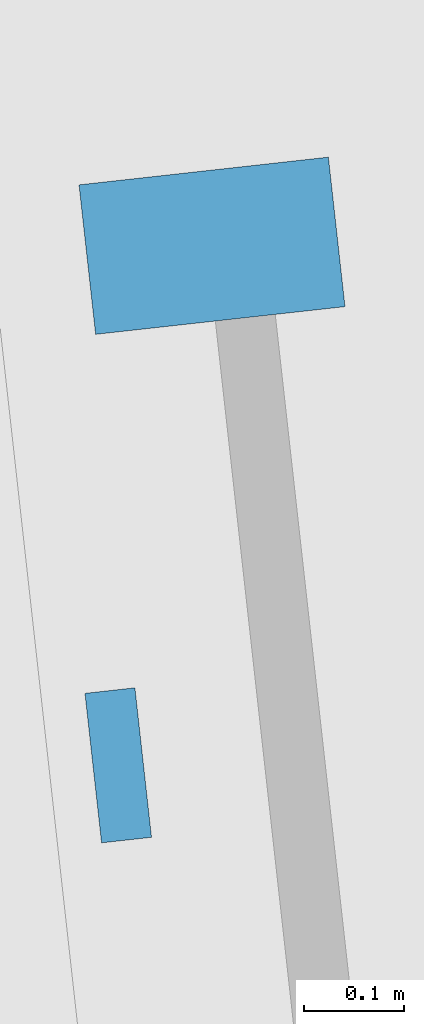
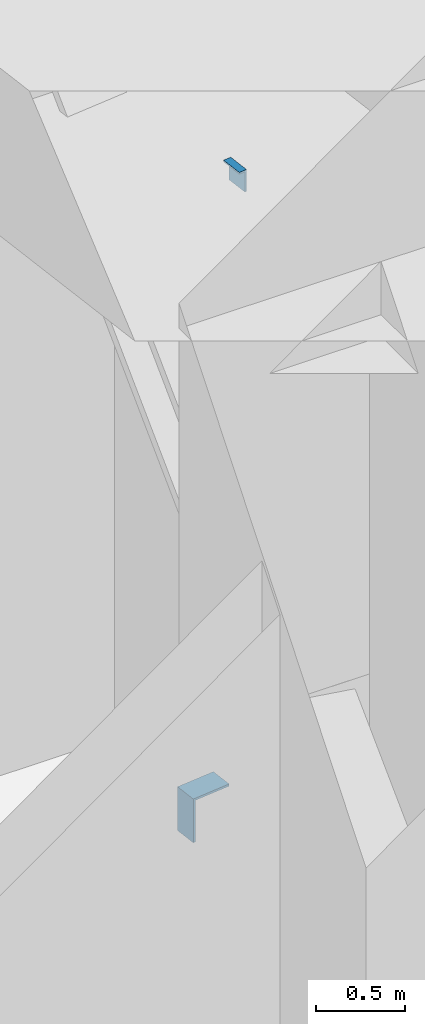
# One storey, part 13 of 17: 2 discrete accessories.
"""IFC4 building model written with IfcOpenShell, lengths in metres."""

from ifc_helpers import new_model, si_unit, direction, frame, origin, place, context, subcontext, project, spatial, polyline, outline, extrude, source, transform, mapped, material, layer, layer_set, type_object, element, save


model = new_model("IFC4")

# Units and contexts
model_context = context("Model", 3, precision=1e-05, world=origin(), true_north=direction((0.0, 1.0)))
body_context = subcontext(model_context, "Body", "Model", "MODEL_VIEW")
ifc_project = project(units=[si_unit("LENGTHUNIT", "METRE"), si_unit("AREAUNIT", "SQUARE_METRE"), si_unit("VOLUMEUNIT", "CUBIC_METRE"), si_unit("PLANEANGLEUNIT", "RADIAN"), si_unit("MASSUNIT", "GRAM", prefix="KILO")], contexts=[model_context])

# Site, building, storey
site_placement = place(None, origin())
site = spatial("IfcSite", under=ifc_project, at=site_placement, CompositionType="ELEMENT")
building_placement = place(site_placement, origin())
building = spatial("IfcBuilding", under=site, at=building_placement, Name="Kilele Tower Hotel", CompositionType="ELEMENT")
storey_placement = place(building_placement, frame((0.0, 0.0, 211.39990234375)))
storey = spatial("IfcBuildingStorey", under=building, at=storey_placement, Name="L55", CompositionType="ELEMENT", Elevation=211.39990234375)

# Discrete accessories
ifc_material_1 = material(Name="Hot-dip galvanized steel S355", Category="steel")
ifc_layer_1 = layer(ifc_material_1, 0.014892578125)
ifc_layer_set_1 = layer_set([ifc_layer_1], Name="Hot-dip galvanized steel S355")
discrete_accessory_type_1 = type_object("IfcDiscreteAccessoryType", Name="Facade panel bearing bracket 250x150x15", PredefinedType="BRACKET", material=ifc_layer_set_1)
shared_shape_1 = source(origin(), body_context, "Body", "SweptSolid", [
    extrude(outline(polyline([(0.0, 0.0), (0.25, 0.0), (0.25, -0.014892578125), (0.014892578125, -0.014892578125), (0.014892578125, -0.300048828125), (0.0, -0.300048828125), (0.0, 0.0)])), origin(), (0.0, 0.0, 1.0), 0.14990234375),
])
discrete_accessory_1_placement = place(storey_placement, frame((46.484130859375, 29.85888671875, 0.0), z_axis=(0.110432, -0.993884, 0.0), x_axis=(0.993884, 0.110432, 0.0)))
element("IfcDiscreteAccessory", 1, at=discrete_accessory_1_placement, inside=storey, type_object=discrete_accessory_type_1, Name="Facade panel bearing bracket L55", PredefinedType="BRACKET", context=body_context, shape_type="MappedRepresentation", body=[
    mapped(shared_shape_1, transform((0.0, 0.0, 0.0))),
])
ifc_material_2 = material(Name="Hot-dip galvanized steel S355", Category="steel")
ifc_layer_2 = layer(ifc_material_2, 0.011962890625)
ifc_layer_set_2 = layer_set([ifc_layer_2], Name="Hot-dip galvanized steel S355")
discrete_accessory_type_2 = type_object("IfcDiscreteAccessoryType", Name="Facade panel restraint bracket 150x50x12", PredefinedType="BRACKET", material=ifc_layer_set_2)
shared_shape_2 = source(origin(), body_context, "Body", "SweptSolid", [
    extrude(outline(polyline([(0.0, 0.0), (0.0, -0.14990234375), (-0.011962890625, -0.14990234375), (-0.011962890625, -0.011962890625), (-0.050048828125, -0.011962890625), (-0.050048828125, 0.0), (0.0, 0.0)])), origin(), (0.0, 0.0, 1.0), 0.14990234375),
])
discrete_accessory_2_placement = place(storey_placement, frame((46.539794921875, 29.357666015625, 4.60009765625), z_axis=(0.110432, -0.993884, 0.0), x_axis=(0.993884, 0.110432, 0.0)))
element("IfcDiscreteAccessory", 2, at=discrete_accessory_2_placement, inside=storey, type_object=discrete_accessory_type_2, Name="Facade panel restraint bracket L55", PredefinedType="BRACKET", context=body_context, shape_type="MappedRepresentation", body=[
    mapped(shared_shape_2, transform((0.0, 0.0, 0.0))),
])

save(model, "model.ifc")
